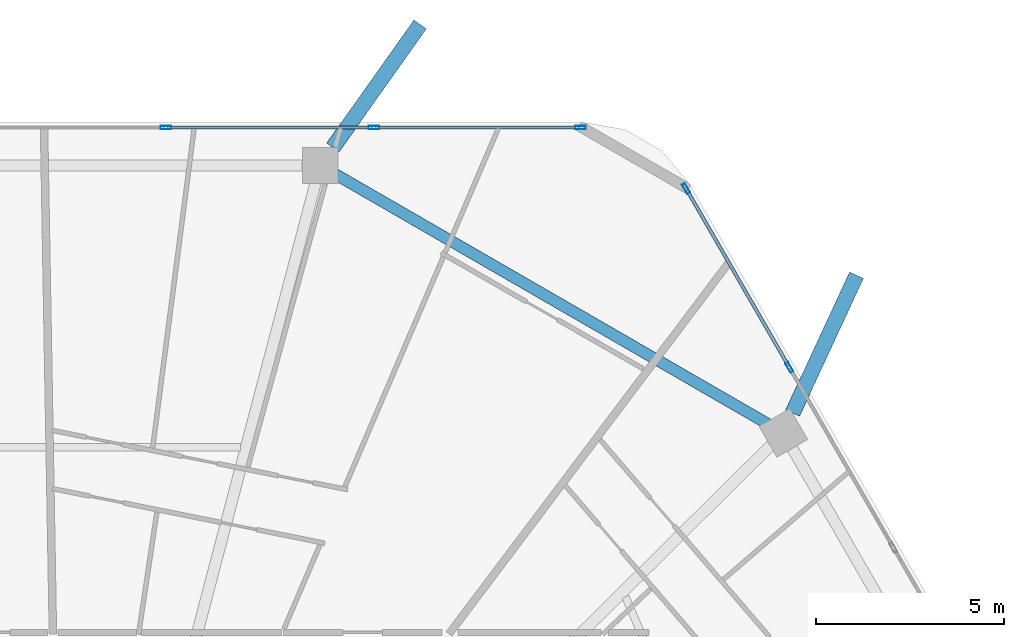
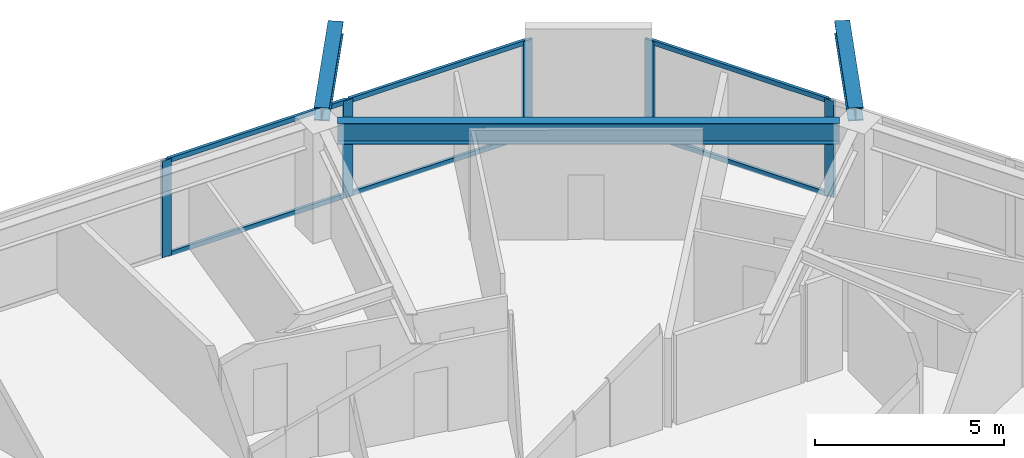
# One storey, part 16 of 27: 11 members, 3 beams, 2 elements without a shape of their own.
"""IFC4 building model written with IfcOpenShell, lengths in metres."""

from ifc_helpers import new_model, si_unit, direction, frame, origin, origin_2d, place, context, subcontext, project, spatial, hollow_rectangle, i_section, extrude, material, material_profile, profile_set, type_object, element, aggregate, save


model = new_model("IFC4")

# Units and contexts
model_context = context("Model", 3, precision=1e-05, world=origin(), true_north=direction((0.0, 1.0)))
body_context = subcontext(model_context, "Body", "Model", "MODEL_VIEW")
ifc_project = project(units=[si_unit("LENGTHUNIT", "METRE"), si_unit("AREAUNIT", "SQUARE_METRE"), si_unit("VOLUMEUNIT", "CUBIC_METRE"), si_unit("PLANEANGLEUNIT", "RADIAN"), si_unit("MASSUNIT", "GRAM", prefix="KILO")], contexts=[model_context])

# Site, building, storey
site_placement = place(None, origin())
site = spatial("IfcSite", under=ifc_project, at=site_placement, CompositionType="ELEMENT")
building_placement = place(site_placement, origin())
building = spatial("IfcBuilding", under=site, at=building_placement, Name="Zuhravey Tower", CompositionType="ELEMENT")
storey_placement = place(building_placement, frame((0.0, 0.0, 188.39990234375)))
storey = spatial("IfcBuildingStorey", under=building, at=storey_placement, Name="L47", CompositionType="ELEMENT", Elevation=188.39990234375)

# Curtain wall, members
ifc_material_1 = material(Name="Thermally broken anodised aluminium", Category="aluminium")
curtain_wall_type = type_object("IfcCurtainWallType", Name="Zone 1-2 Residential Curtain Wall CW3", PredefinedType="NOTDEFINED", material=ifc_material_1)
curtain_wall_1_placement = place(storey_placement, origin())
curtain_wall_1 = element("IfcCurtainWall", 1, at=curtain_wall_1_placement, inside=storey, type_object=curtain_wall_type, Name="L47 CW3 CW-L47-F2-1", PredefinedType="NOTDEFINED")
ifc_material_2 = material(Name="Anodised aluminium", Category="aluminium")
ifc_material_profile_1 = material_profile(ifc_material_2, hollow_rectangle(XDim=0.090087890625, YDim=0.284912109375, WallThickness=0.0048828125, at=origin_2d()), Name="ALU-RHS-90x285x5")
ifc_profile_set_1 = profile_set([ifc_material_profile_1], Name="Anodised aluminium")
member_type_1 = type_object("IfcMemberType", Name="Curtain-Wall Mullion 90x180", PredefinedType="MULLION", material=ifc_profile_set_1)
member_1_placement = place(storey_placement, frame((38.772216796875, 59.18310546875, 0.0), z_axis=(0.0, 0.0, 1.0), x_axis=(0.0, 1.0, 0.0)))
member_1 = element("IfcMember", 2, at=member_1_placement, type_object=member_type_1, Name="CW3 mullion 4", PredefinedType="MULLION", context=body_context, shape_type="SweptSolid", body=[
    extrude(hollow_rectangle(XDim=0.090087890625, YDim=0.284912109375, WallThickness=0.0048828125, at=origin_2d()), origin(), (0.0, 0.0, 1.0), 3.1220703125),
])
member_2_placement = place(storey_placement, frame((44.316650390625, 59.18310546875, 0.0), z_axis=(0.0, 0.0, 1.0), x_axis=(0.0, 1.0, 0.0)))
member_2 = element("IfcMember", 3, at=member_2_placement, type_object=member_type_1, Name="CW3 mullion 5", PredefinedType="MULLION", context=body_context, shape_type="SweptSolid", body=[
    extrude(hollow_rectangle(XDim=0.090087890625, YDim=0.284912109375, WallThickness=0.0048828125, at=origin_2d()), origin(), (0.0, 0.0, 1.0), 3.1220703125),
])
member_3_placement = place(storey_placement, frame((49.816162109375, 59.18310546875, 0.0), z_axis=(0.0, 0.0, 1.0), x_axis=(0.0, 1.0, 0.0)))
member_3 = element("IfcMember", 4, at=member_3_placement, type_object=member_type_1, Name="CW3 mullion 6", PredefinedType="MULLION", context=body_context, shape_type="SweptSolid", body=[
    extrude(hollow_rectangle(XDim=0.090087890625, YDim=0.284912109375, WallThickness=0.0048828125, at=origin_2d()), origin(), (0.0, 0.0, 1.0), 3.1220703125),
])

curtain_wall_2_placement = place(storey_placement, origin())
curtain_wall_2 = element("IfcCurtainWall", 5, at=curtain_wall_2_placement, inside=storey, type_object=curtain_wall_type, Name="L47 CW3 CW-L47-F1-1", PredefinedType="NOTDEFINED")
member_4_placement = place(storey_placement, frame((52.63330078125, 57.556640625, 0.0), z_axis=(0.0, 0.0, 1.0), x_axis=(0.866025138215, 0.500000459979, 0.0)))
member_4 = element("IfcMember", 6, at=member_4_placement, type_object=member_type_1, Name="CW3 mullion 1", PredefinedType="MULLION", context=body_context, shape_type="SweptSolid", body=[
    extrude(hollow_rectangle(XDim=0.090087890625, YDim=0.284912109375, WallThickness=0.0048828125, at=origin_2d()), origin(), (0.0, 0.0, 1.0), 3.1220703125),
])
member_5_placement = place(storey_placement, frame((55.3828125, 52.7939453125, 0.0), z_axis=(0.0, 0.0, 1.0), x_axis=(0.866025138215, 0.500000459979, 0.0)))
member_5 = element("IfcMember", 7, at=member_5_placement, type_object=member_type_1, Name="CW3 mullion 2", PredefinedType="MULLION", context=body_context, shape_type="SweptSolid", body=[
    extrude(hollow_rectangle(XDim=0.090087890625, YDim=0.284912109375, WallThickness=0.0048828125, at=origin_2d()), origin(), (0.0, 0.0, 1.0), 3.1220703125),
])

# Member
ifc_material_profile_2 = material_profile(ifc_material_2, hollow_rectangle(XDim=0.090087890625, YDim=0.14990234375, WallThickness=0.0048828125, at=origin_2d()), Name="ALU-RHS-90x150x5")
ifc_profile_set_2 = profile_set([ifc_material_profile_2], Name="Anodised aluminium")
member_type_2 = type_object("IfcMemberType", Name="Curtain-Wall Transom 90x150", PredefinedType="USERDEFINED", material=ifc_profile_set_2)
member_6_placement = place(storey_placement, frame((38.817138671875, 59.18310546875, 0.045166015625), z_axis=(1.0, 0.0, 0.0), x_axis=(0.0, 1.0, 0.0)))
member_6 = element("IfcMember", 8, at=member_6_placement, type_object=member_type_2, Name="CW3 transom 4.1", ObjectType="TRANSOM", PredefinedType="USERDEFINED", context=body_context, shape_type="SweptSolid", body=[
    extrude(hollow_rectangle(XDim=0.090087890625, YDim=0.14990234375, WallThickness=0.0048828125, at=origin_2d()), origin(), (0.0, 0.0, 1.0), 5.45458984375),
])

member_7_placement = place(storey_placement, frame((38.817138671875, 59.18310546875, 3.0771484375), z_axis=(1.0, 0.0, 0.0), x_axis=(0.0, 1.0, 0.0)))
member_7 = element("IfcMember", 9, at=member_7_placement, type_object=member_type_2, Name="CW3 transom 4.2", ObjectType="TRANSOM", PredefinedType="USERDEFINED", context=body_context, shape_type="SweptSolid", body=[
    extrude(hollow_rectangle(XDim=0.090087890625, YDim=0.14990234375, WallThickness=0.0048828125, at=origin_2d()), origin(), (0.0, 0.0, 1.0), 5.45458984375),
])

member_8_placement = place(storey_placement, frame((44.361572265625, 59.18310546875, 0.045166015625), z_axis=(1.0, 0.0, 0.0), x_axis=(0.0, 1.0, 0.0)))
member_8 = element("IfcMember", 10, at=member_8_placement, type_object=member_type_2, Name="CW3 transom 5.1", ObjectType="TRANSOM", PredefinedType="USERDEFINED", context=body_context, shape_type="SweptSolid", body=[
    extrude(hollow_rectangle(XDim=0.090087890625, YDim=0.14990234375, WallThickness=0.0048828125, at=origin_2d()), origin(), (0.0, 0.0, 1.0), 5.409423828125),
])

member_9_placement = place(storey_placement, frame((44.361572265625, 59.18310546875, 3.0771484375), z_axis=(1.0, 0.0, 0.0), x_axis=(0.0, 1.0, 0.0)))
member_9 = element("IfcMember", 11, at=member_9_placement, type_object=member_type_2, Name="CW3 transom 5.2", ObjectType="TRANSOM", PredefinedType="USERDEFINED", context=body_context, shape_type="SweptSolid", body=[
    extrude(hollow_rectangle(XDim=0.090087890625, YDim=0.14990234375, WallThickness=0.0048828125, at=origin_2d()), origin(), (0.0, 0.0, 1.0), 5.409423828125),
])

aggregate(curtain_wall_1, [member_1, member_2, member_3, member_6, member_7, member_8, member_9])

member_10_placement = place(storey_placement, frame((52.65576171875, 57.517578125, 0.045166015625), z_axis=(0.499993332629, -0.866029253159, 0.0), x_axis=(0.866029253159, 0.499993332629, 0.0)))
member_10 = element("IfcMember", 12, at=member_10_placement, type_object=member_type_2, Name="CW3 transom 1.1", ObjectType="TRANSOM", PredefinedType="USERDEFINED", context=body_context, shape_type="SweptSolid", body=[
    extrude(hollow_rectangle(XDim=0.090087890625, YDim=0.14990234375, WallThickness=0.0048828125, at=origin_2d()), origin(), (0.0, 0.0, 1.0), 5.4091796875),
])

member_11_placement = place(storey_placement, frame((52.65576171875, 57.517578125, 3.0771484375), z_axis=(0.499993332629, -0.866029253159, 0.0), x_axis=(0.866029253159, 0.499993332629, 0.0)))
member_11 = element("IfcMember", 13, at=member_11_placement, type_object=member_type_2, Name="CW3 transom 1.2", ObjectType="TRANSOM", PredefinedType="USERDEFINED", context=body_context, shape_type="SweptSolid", body=[
    extrude(hollow_rectangle(XDim=0.090087890625, YDim=0.14990234375, WallThickness=0.0048828125, at=origin_2d()), origin(), (0.0, 0.0, 1.0), 5.4091796875),
])

aggregate(curtain_wall_2, [member_4, member_5, member_10, member_11])

# Beams
ifc_material_3 = material(Name="Steel SM460", Category="steel")
ifc_material_profile_3 = material_profile(ifc_material_3, i_section(OverallWidth=0.406982421875, OverallDepth=0.427978515625, WebThickness=0.02001953125, FlangeThickness=0.034912109375, at=origin_2d()), Name="H-428x407x20x35")
ifc_profile_set_3 = profile_set([ifc_material_profile_3], Name="Steel SM460")
beam_type_1 = type_object("IfcBeamType", Name="Exoskeleton Node Tie Beam H428x407", PredefinedType="BEAM", material=ifc_profile_set_3)
beam_1_placement = place(storey_placement, frame((55.471435546875, 51.5771484375, 3.336181640625), z_axis=(0.42068755382, 0.907205589743, 0.0), x_axis=(-0.907205589743, 0.42068755382, 0.0)))
element("IfcBeam", 14, at=beam_1_placement, inside=storey, type_object=beam_type_1, Name="L47 Exoskeleton Node Tie NT1-02", PredefinedType="BEAM", context=body_context, shape_type="SweptSolid", body=[
    extrude(i_section(OverallWidth=0.406982421875, OverallDepth=0.427978515625, WebThickness=0.02001953125, FlangeThickness=0.034912109375, at=origin_2d()), origin(), (0.0, 0.0, 1.0), 4.046142578125),
])
beam_2_placement = place(storey_placement, frame((43.22119140625, 58.6513671875, 3.336181640625), z_axis=(0.578379549455, 0.815767795866, 0.0), x_axis=(-0.815767795866, 0.578379549455, 0.0)))
element("IfcBeam", 15, at=beam_2_placement, inside=storey, type_object=beam_type_1, Name="L47 Exoskeleton Node Tie NT1-03", PredefinedType="BEAM", context=body_context, shape_type="SweptSolid", body=[
    extrude(i_section(OverallWidth=0.406982421875, OverallDepth=0.427978515625, WebThickness=0.02001953125, FlangeThickness=0.034912109375, at=origin_2d()), origin(), (0.0, 0.0, 1.0), 4.020263671875),
])
ifc_material_4 = material(Name="Steel SM355", Category="steel")
ifc_material_profile_4 = material_profile(ifc_material_4, i_section(OverallWidth=0.300048828125, OverallDepth=0.679931640625, WebThickness=0.012939453125, FlangeThickness=0.02197265625, at=origin_2d()), Name="H-680x300x13x22")
ifc_profile_set_4 = profile_set([ifc_material_profile_4], Name="Steel SM355")
beam_type_2 = type_object("IfcBeamType", Name="Perimeter Ring Beam H680x300", PredefinedType="BEAM", material=ifc_profile_set_4)
beam_3_placement = place(storey_placement, frame((54.8115234375, 51.28564453125, 3.210205078125), z_axis=(-0.866029041019, 0.499993700073, 0.0), x_axis=(-0.499993700073, -0.866029041019, 0.0)))
element("IfcBeam", 16, at=beam_3_placement, inside=storey, type_object=beam_type_2, Name="L47 PB2 BM-L47-PB-02", PredefinedType="BEAM", context=body_context, shape_type="SweptSolid", body=[
    extrude(i_section(OverallWidth=0.300048828125, OverallDepth=0.679931640625, WebThickness=0.012939453125, FlangeThickness=0.02197265625, at=origin_2d()), origin(), (0.0, 0.0, 1.0), 13.297119140625),
])

save(model, "model.ifc")
